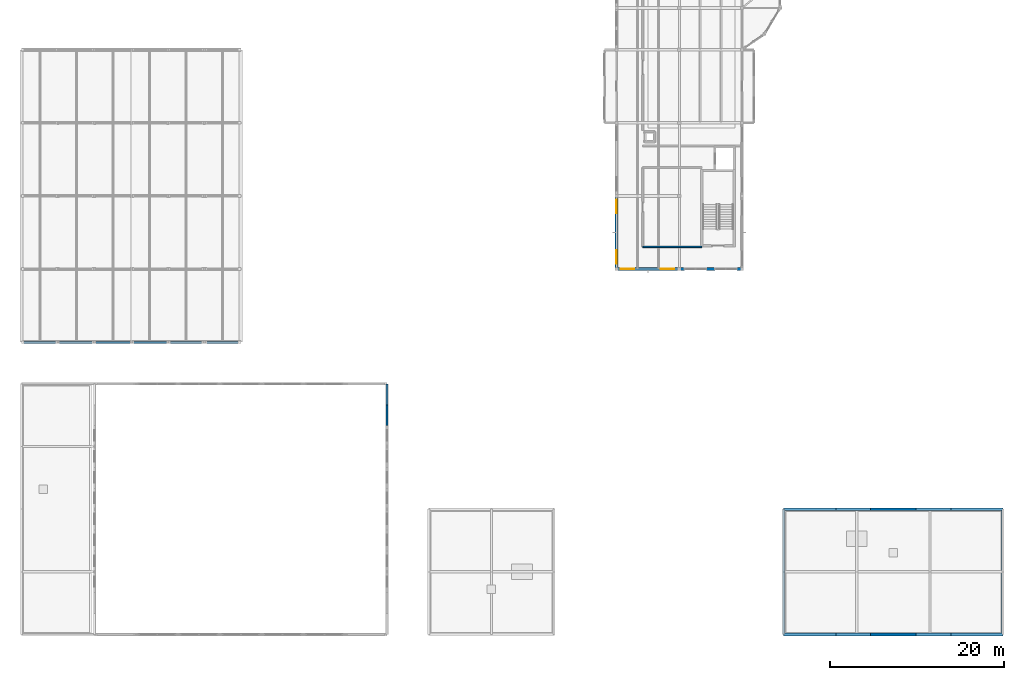
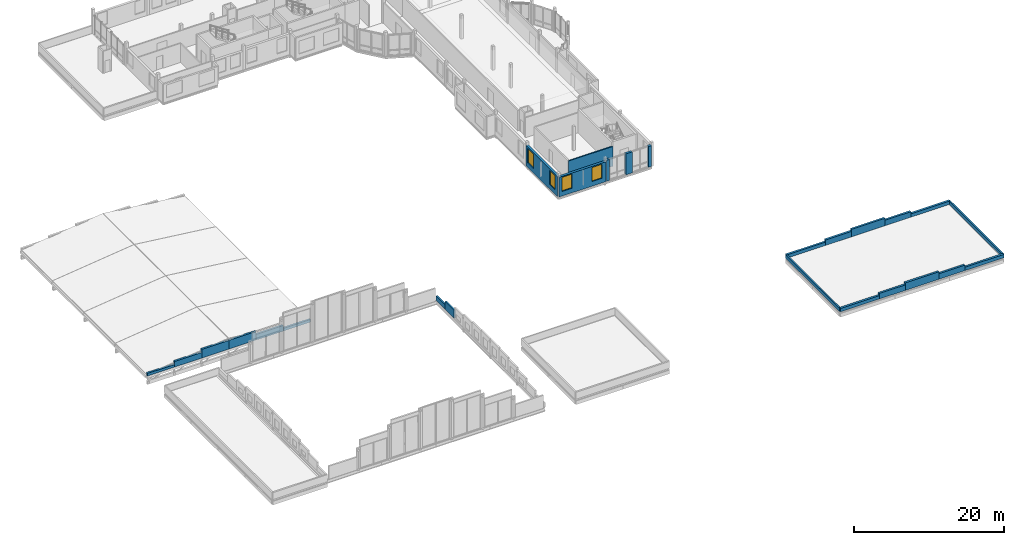
# One storey, part 25 of 34: 26 walls, 4 windows, 4 openings.
"""IFC4 building model written with IfcOpenShell, lengths in metres."""

from ifc_helpers import new_model, si_unit, direction, frame, frame_2d, origin, place, context, subcontext, project, spatial, rectangle, extrude, material, layer, layer_set, type_object, element, fill, save


model = new_model("IFC4")

# Units and contexts
model_context = context("Model", 3, precision=1e-05, world=origin(), true_north=direction((0.0, 1.0)))
body_context = subcontext(model_context, "Body", "Model", "MODEL_VIEW")
ifc_project = project(units=[si_unit("LENGTHUNIT", "METRE"), si_unit("AREAUNIT", "SQUARE_METRE"), si_unit("VOLUMEUNIT", "CUBIC_METRE"), si_unit("PLANEANGLEUNIT", "RADIAN"), si_unit("MASSUNIT", "GRAM", prefix="KILO")], contexts=[model_context])

# Site, building, storey
site_placement = place(None, origin())
site = spatial("IfcSite", under=ifc_project, at=site_placement, CompositionType="ELEMENT")
building_placement = place(site_placement, origin())
building = spatial("IfcBuilding", under=site, at=building_placement, Name="Kahlenmark Community Centre", CompositionType="ELEMENT")
storey_placement = place(building_placement, frame((0.0, 0.0, 17.699951171875)))
storey = spatial("IfcBuildingStorey", under=building, at=storey_placement, Name="L04", CompositionType="ELEMENT", Elevation=17.699951171875)

# Walls
ifc_material_1 = material(Name="Cross-laminated timber CLT C24", Category="wood")
ifc_layer_1 = layer(ifc_material_1, 0.239990234375)
ifc_layer_set_1 = layer_set([ifc_layer_1], Name="Cross-laminated timber CLT C24")
wall_type_1 = type_object("IfcWallType", Name="WT-EW-240", PredefinedType="SOLIDWALL", material=ifc_layer_set_1)
wall_1_placement = place(storey_placement, frame((46.0, 32.800048828125, 0.300048828125), z_axis=(0.0, 0.0, 1.0), x_axis=(0.0, 1.0, 0.0)))
element("IfcWall", 1, at=wall_1_placement, inside=storey, type_object=wall_type_1, Name="Main Hall lunette wall WL-TYMP-EW-0914", PredefinedType="SOLIDWALL", context=body_context, shape_type="SweptSolid", body=[
    extrude(rectangle(XDim=2.39990234375, YDim=0.239990234375, at=frame_2d((1.199951171875, 0.0))), origin(), (0.0, 0.0, 1.0), 1.319580078125),
])
wall_2_placement = place(storey_placement, frame((46.0, 35.199951171875, 0.300048828125), z_axis=(0.0, 0.0, 1.0), x_axis=(0.0, 1.0, 0.0)))
element("IfcWall", 2, at=wall_2_placement, inside=storey, type_object=wall_type_1, Name="Main Hall lunette wall WL-TYMP-EW-0915", PredefinedType="SOLIDWALL", context=body_context, shape_type="SweptSolid", body=[
    extrude(rectangle(XDim=2.400146484375, YDim=0.239990234375, at=frame_2d((1.2001953125, 0.0))), origin(), (0.0, 0.0, 1.0), 0.750244140625),
])
ifc_layer_2 = layer(ifc_material_1, 0.300048828125)
ifc_layer_set_2 = layer_set([ifc_layer_2], Name="Cross-laminated timber CLT C24")
wall_type_2 = type_object("IfcWallType", Name="WT-EW-300", PredefinedType="SOLIDWALL", material=ifc_layer_set_2)
wall_3_placement = place(storey_placement, frame((4.0, 42.39990234375, -0.199951171875), z_axis=(0.0, 0.0, 1.0), x_axis=(1.0, 0.0, 0.0)))
element("IfcWall", 3, at=wall_3_placement, inside=storey, type_object=wall_type_2, Name="Sports Hall gable wall WL-SP-GAB-0916", PredefinedType="SOLIDWALL", context=body_context, shape_type="SweptSolid", body=[
    extrude(rectangle(XDim=4.199951171875, YDim=0.300048828125, at=frame_2d((2.10009765625, 0.0))), origin(), (0.0, 0.0, 1.0), 0.4267578125),
])
wall_4_placement = place(storey_placement, frame((8.199951171875, 42.39990234375, -0.199951171875), z_axis=(0.0, 0.0, 1.0), x_axis=(1.0, 0.0, 0.0)))
element("IfcWall", 4, at=wall_4_placement, inside=storey, type_object=wall_type_2, Name="Sports Hall gable wall WL-SP-GAB-0917", PredefinedType="SOLIDWALL", context=body_context, shape_type="SweptSolid", body=[
    extrude(rectangle(XDim=4.199951171875, YDim=0.300048828125, at=frame_2d((2.10009765625, 0.0))), origin(), (0.0, 0.0, 1.0), 0.919921875),
])
wall_5_placement = place(storey_placement, frame((12.39990234375, 42.39990234375, -0.199951171875), z_axis=(0.0, 0.0, 1.0), x_axis=(1.0, 0.0, 0.0)))
element("IfcWall", 5, at=wall_5_placement, inside=storey, type_object=wall_type_2, Name="Sports Hall gable wall WL-SP-GAB-0918", PredefinedType="SOLIDWALL", context=body_context, shape_type="SweptSolid", body=[
    extrude(rectangle(XDim=4.2001953125, YDim=0.300048828125, at=frame_2d((2.10009765625, 0.0))), origin(), (0.0, 0.0, 1.0), 1.413330078125),
])
wall_6_placement = place(storey_placement, frame((16.60009765625, 42.39990234375, -0.199951171875), z_axis=(0.0, 0.0, 1.0), x_axis=(1.0, 0.0, 0.0)))
element("IfcWall", 6, at=wall_6_placement, inside=storey, type_object=wall_type_2, Name="Sports Hall gable wall WL-SP-GAB-0919", PredefinedType="SOLIDWALL", context=body_context, shape_type="SweptSolid", body=[
    extrude(rectangle(XDim=4.199951171875, YDim=0.300048828125, at=frame_2d((2.10009765625, 0.0))), origin(), (0.0, 0.0, 1.0), 1.413330078125),
])
wall_7_placement = place(storey_placement, frame((20.800048828125, 42.39990234375, -0.199951171875), z_axis=(0.0, 0.0, 1.0), x_axis=(1.0, 0.0, 0.0)))
element("IfcWall", 7, at=wall_7_placement, inside=storey, type_object=wall_type_2, Name="Sports Hall gable wall WL-SP-GAB-0920", PredefinedType="SOLIDWALL", context=body_context, shape_type="SweptSolid", body=[
    extrude(rectangle(XDim=4.199951171875, YDim=0.300048828125, at=frame_2d((2.10009765625, 0.0))), origin(), (0.0, 0.0, 1.0), 0.919921875),
])
wall_8_placement = place(storey_placement, frame((25.0, 42.39990234375, -0.199951171875), z_axis=(0.0, 0.0, 1.0), x_axis=(1.0, 0.0, 0.0)))
element("IfcWall", 8, at=wall_8_placement, inside=storey, type_object=wall_type_2, Name="Sports Hall gable wall WL-SP-GAB-0921", PredefinedType="SOLIDWALL", context=body_context, shape_type="SweptSolid", body=[
    extrude(rectangle(XDim=4.199951171875, YDim=0.300048828125, at=frame_2d((2.10009765625, 0.0))), origin(), (0.0, 0.0, 1.0), 0.4267578125),
])

# Wall, openings, windows
ifc_material_2 = material(Name="Danube limestone masonry", Category="masonry")
ifc_layer_3 = layer(ifc_material_2, 0.360107421875)
ifc_layer_set_3 = layer_set([ifc_layer_3], Name="Danube limestone masonry")
wall_type_3 = type_object("IfcWallType", Name="WT-EW-360", PredefinedType="SOLIDWALL", material=ifc_layer_set_3)
wall_9_placement = place(storey_placement, frame((72.39990234375, 50.800048828125, 0.0), z_axis=(0.0, 0.0, 1.0), x_axis=(1.0, 0.0, 0.0)))
wall_9 = element("IfcWall", 9, at=wall_9_placement, inside=storey, type_object=wall_type_3, Name="Exterior wall WL-EXT-L04-0656", PredefinedType="SOLIDWALL", context=body_context, shape_type="SweptSolid", body=[
    extrude(rectangle(XDim=7.2001953125, YDim=0.360107421875, at=frame_2d((3.60009765625, 0.0))), origin(), (0.0, 0.0, 1.0), 3.22998046875),
])
opening_1_placement = place(wall_9_placement, frame((0.4599609375, 0.0, 0.75)))
opening_1 = element("IfcOpeningElement", 10, at=opening_1_placement, cuts=wall_9, Name="Opening W-155X230", PredefinedType="OPENING", context=body_context, shape_type="SweptSolid", body=[
    extrude(rectangle(XDim=1.550048828125, YDim=2.300048828125, at=frame_2d((0.77490234375, 1.14990234375))), frame((0.0, 0.18994140625, 0.0), z_axis=(0.0, -1.0, 0.0), x_axis=(1.0, 0.0, 0.0)), (0.0, 0.0, 1.0), 0.380126953125),
])
opening_2_placement = place(wall_9_placement, frame((5.06005859375, 0.0, 0.75)))
opening_2 = element("IfcOpeningElement", 11, at=opening_2_placement, cuts=wall_9, Name="Opening W-155X230", PredefinedType="OPENING", context=body_context, shape_type="SweptSolid", body=[
    extrude(rectangle(XDim=1.550048828125, YDim=2.300048828125, at=frame_2d((0.77490234375, 1.14990234375))), frame((0.0, 0.18994140625, 0.0), z_axis=(0.0, -1.0, 0.0), x_axis=(1.0, 0.0, 0.0)), (0.0, 0.0, 1.0), 0.380126953125),
])
ifc_material_3 = material(Name="Deep-reveal limestone punched triple glazing", Category="masonry")
window_type = type_object("IfcWindowType", Name="WNT-155X230", PartitioningType="DOUBLE_PANEL_HORIZONTAL", PredefinedType="WINDOW", material=ifc_material_3)
window_1_placement = place(opening_1_placement, origin())
window_1 = element("IfcWindow", 12, at=window_1_placement, inside=storey, type_object=window_type, Name="Window W-155X230 #0431", OverallHeight=2.300048828125, OverallWidth=1.550048828125, PartitioningType="DOUBLE_PANEL_HORIZONTAL", PredefinedType="WINDOW", context=body_context, shape_type="SweptSolid", body=[
    extrude(rectangle(XDim=1.550048828125, YDim=2.300048828125, at=frame_2d((0.77490234375, 1.14990234375))), frame((0.0, 0.030029296875, 0.0), z_axis=(0.0, -1.0, 0.0), x_axis=(1.0, 0.0, 0.0)), (0.0, 0.0, 1.0), 0.06005859375),
])
fill(opening_1, window_1)
window_2_placement = place(opening_2_placement, origin())
window_2 = element("IfcWindow", 13, at=window_2_placement, inside=storey, type_object=window_type, Name="Window W-155X230 #0432", OverallHeight=2.300048828125, OverallWidth=1.550048828125, PartitioningType="DOUBLE_PANEL_HORIZONTAL", PredefinedType="WINDOW", context=body_context, shape_type="SweptSolid", body=[
    extrude(rectangle(XDim=1.550048828125, YDim=2.300048828125, at=frame_2d((0.77490234375, 1.14990234375))), frame((0.0, 0.030029296875, 0.0), z_axis=(0.0, -1.0, 0.0), x_axis=(1.0, 0.0, 0.0)), (0.0, 0.0, 1.0), 0.06005859375),
])
fill(opening_2, window_2)

# Walls
wall_10_placement = place(storey_placement, frame((82.719970703125, 50.800048828125, 0.0), z_axis=(0.0, 0.0, 1.0), x_axis=(1.0, 0.0, 0.0)))
element("IfcWall", 14, at=wall_10_placement, inside=storey, type_object=wall_type_3, Name="Postmodern limestone pier 0657", PredefinedType="SOLIDWALL", context=body_context, shape_type="SweptSolid", body=[
    extrude(rectangle(XDim=0.9599609375, YDim=0.360107421875, at=frame_2d((0.47998046875, 0.0))), origin(), (0.0, 0.0, 1.0), 3.420166015625),
])
for number, where, z_axis, x_axis, name in (
    (15, (79.72998046875, 50.800048828125, 0.0), (0.0, 0.0, 1.0), (1.0, 0.0, 0.0), "Column closure pier 0658"),
    (16, (86.219970703125, 50.800048828125, 0.0), (0.0, 0.0, 1.0), (1.0, 0.0, 0.0), "Column closure pier 0659"),
):
    element("IfcWall", number, at=place(storey_placement, frame(where, z_axis=z_axis, x_axis=x_axis)), inside=storey, type_object=wall_type_3, Name=name, PredefinedType="SOLIDWALL", context=body_context, shape_type="SweptSolid", body=[
        extrude(rectangle(XDim=0.449951171875, YDim=0.360107421875, at=frame_2d((0.22509765625, 0.0))), origin(), (0.0, 0.0, 1.0), 3.420166015625),
    ])

# Wall, openings, windows
wall_11_placement = place(storey_placement, frame((72.39990234375, 59.199951171875, 0.0), z_axis=(0.0, 0.0, 1.0), x_axis=(0.0, -1.0, 0.0)))
wall_11 = element("IfcWall", 17, at=wall_11_placement, inside=storey, type_object=wall_type_3, Name="Exterior wall WL-EXT-L04-0660", PredefinedType="SOLIDWALL", context=body_context, shape_type="SweptSolid", body=[
    extrude(rectangle(XDim=8.39990234375, YDim=0.360107421875, at=frame_2d((4.199951171875, 0.0))), origin(), (0.0, 0.0, 1.0), 3.320068359375),
])
opening_3_placement = place(wall_11_placement, frame((0.4599609375, 0.0, 0.75)))
opening_3 = element("IfcOpeningElement", 18, at=opening_3_placement, cuts=wall_11, Name="Opening W-155X230", PredefinedType="OPENING", context=body_context, shape_type="SweptSolid", body=[
    extrude(rectangle(XDim=1.550048828125, YDim=2.300048828125, at=frame_2d((0.77490234375, 1.14990234375))), frame((0.0, 0.18994140625, 0.0), z_axis=(0.0, -1.0, 0.0), x_axis=(1.0, 0.0, 0.0)), (0.0, 0.0, 1.0), 0.380126953125),
])
opening_4_placement = place(wall_11_placement, frame((6.260009765625, 0.0, 0.75)))
opening_4 = element("IfcOpeningElement", 19, at=opening_4_placement, cuts=wall_11, Name="Opening W-155X230", PredefinedType="OPENING", context=body_context, shape_type="SweptSolid", body=[
    extrude(rectangle(XDim=1.550048828125, YDim=2.300048828125, at=frame_2d((0.77490234375, 1.14990234375))), frame((0.0, 0.18994140625, 0.0), z_axis=(0.0, -1.0, 0.0), x_axis=(1.0, 0.0, 0.0)), (0.0, 0.0, 1.0), 0.380126953125),
])
window_3_placement = place(opening_3_placement, origin())
window_3 = element("IfcWindow", 20, at=window_3_placement, inside=storey, type_object=window_type, Name="Window W-155X230 #0433", OverallHeight=2.300048828125, OverallWidth=1.550048828125, PartitioningType="DOUBLE_PANEL_HORIZONTAL", PredefinedType="WINDOW", context=body_context, shape_type="SweptSolid", body=[
    extrude(rectangle(XDim=1.550048828125, YDim=2.300048828125, at=frame_2d((0.77490234375, 1.14990234375))), frame((0.0, 0.030029296875, 0.0), z_axis=(0.0, -1.0, 0.0), x_axis=(1.0, 0.0, 0.0)), (0.0, 0.0, 1.0), 0.06005859375),
])
fill(opening_3, window_3)
window_4_placement = place(opening_4_placement, origin())
window_4 = element("IfcWindow", 21, at=window_4_placement, inside=storey, type_object=window_type, Name="Window W-155X230 #0434", OverallHeight=2.300048828125, OverallWidth=1.550048828125, PartitioningType="DOUBLE_PANEL_HORIZONTAL", PredefinedType="WINDOW", context=body_context, shape_type="SweptSolid", body=[
    extrude(rectangle(XDim=1.550048828125, YDim=2.300048828125, at=frame_2d((0.77490234375, 1.14990234375))), frame((0.0, 0.030029296875, 0.0), z_axis=(0.0, -1.0, 0.0), x_axis=(1.0, 0.0, 0.0)), (0.0, 0.0, 1.0), 0.06005859375),
])
fill(opening_4, window_4)

# Walls
ifc_material_4 = material(Name="Concrete C30/37", Category="concrete")
ifc_layer_4 = layer(ifc_material_4, 0.219970703125)
ifc_layer_set_4 = layer_set([ifc_layer_4], Name="Concrete C30/37")
wall_type_4 = type_object("IfcWallType", Name="WT-PAR-220", PredefinedType="PARAPET", material=ifc_layer_set_4)
for number, where, z_axis, x_axis, name in (
    (22, (91.60009765625, 8.800048828125, 0.0), (0.0, 0.0, 1.0), (0.0, 1.0, 0.0), "Workshop side parapet 1034"),
    (23, (116.800048828125, 8.800048828125, 0.0), (0.0, 0.0, 1.0), (0.0, 1.0, 0.0), "Workshop side parapet 1035"),
):
    element("IfcWall", number, at=place(storey_placement, frame(where, z_axis=z_axis, x_axis=x_axis)), inside=storey, type_object=wall_type_4, Name=name, PredefinedType="PARAPET", context=body_context, shape_type="SweptSolid", body=[
        extrude(rectangle(XDim=14.39990234375, YDim=0.219970703125, at=frame_2d((7.199951171875, 0.0))), origin(), (0.0, 0.0, 1.0), 0.550048828125),
    ])
ifc_layer_5 = layer(ifc_material_2, 0.320068359375)
ifc_layer_set_5 = layer_set([ifc_layer_5], Name="Danube limestone masonry")
wall_type_5 = type_object("IfcWallType", Name="WT-PAR-PED320", PredefinedType="PARAPET", material=ifc_layer_set_5)
wall_12_placement = place(storey_placement, frame((91.60009765625, 8.800048828125, 0.0), z_axis=(0.0, 0.0, 1.0), x_axis=(1.0, 0.0, 0.0)))
element("IfcWall", 24, at=wall_12_placement, inside=storey, type_object=wall_type_5, Name="Workshop box stepped pediment 1024", PredefinedType="PARAPET", context=body_context, shape_type="SweptSolid", body=[
    extrude(rectangle(XDim=6.0, YDim=0.320068359375, at=frame_2d((3.0, 0.0))), origin(), (0.0, 0.0, 1.0), 0.550048828125),
])
wall_13_placement = place(storey_placement, frame((97.60009765625, 8.800048828125, 0.0), z_axis=(0.0, 0.0, 1.0), x_axis=(1.0, 0.0, 0.0)))
element("IfcWall", 25, at=wall_13_placement, inside=storey, type_object=wall_type_5, Name="Workshop box stepped pediment 1025", PredefinedType="PARAPET", context=body_context, shape_type="SweptSolid", body=[
    extrude(rectangle(XDim=4.0, YDim=0.320068359375, at=frame_2d((2.0, 0.0))), origin(), (0.0, 0.0, 1.0), 0.900146484375),
])
wall_14_placement = place(storey_placement, frame((101.60009765625, 8.800048828125, 0.0), z_axis=(0.0, 0.0, 1.0), x_axis=(1.0, 0.0, 0.0)))
element("IfcWall", 26, at=wall_14_placement, inside=storey, type_object=wall_type_5, Name="Workshop box stepped pediment 1026", PredefinedType="PARAPET", context=body_context, shape_type="SweptSolid", body=[
    extrude(rectangle(XDim=5.199951171875, YDim=0.320068359375, at=frame_2d((2.60009765625, 0.0))), origin(), (0.0, 0.0, 1.0), 1.219970703125),
])
wall_15_placement = place(storey_placement, frame((106.800048828125, 8.800048828125, 0.0), z_axis=(0.0, 0.0, 1.0), x_axis=(1.0, 0.0, 0.0)))
element("IfcWall", 27, at=wall_15_placement, inside=storey, type_object=wall_type_5, Name="Workshop box stepped pediment 1027", PredefinedType="PARAPET", context=body_context, shape_type="SweptSolid", body=[
    extrude(rectangle(XDim=4.0, YDim=0.320068359375, at=frame_2d((2.0, 0.0))), origin(), (0.0, 0.0, 1.0), 0.900146484375),
])
for number, where, z_axis, x_axis, name in (
    (28, (110.800048828125, 8.800048828125, 0.0), (0.0, 0.0, 1.0), (1.0, 0.0, 0.0), "Workshop box stepped pediment 1028"),
    (29, (91.60009765625, 23.199951171875, 0.0), (0.0, 0.0, 1.0), (1.0, 0.0, 0.0), "Workshop box stepped pediment 1029"),
):
    element("IfcWall", number, at=place(storey_placement, frame(where, z_axis=z_axis, x_axis=x_axis)), inside=storey, type_object=wall_type_5, Name=name, PredefinedType="PARAPET", context=body_context, shape_type="SweptSolid", body=[
        extrude(rectangle(XDim=6.0, YDim=0.320068359375, at=frame_2d((3.0, 0.0))), origin(), (0.0, 0.0, 1.0), 0.550048828125),
    ])
wall_16_placement = place(storey_placement, frame((97.60009765625, 23.199951171875, 0.0), z_axis=(0.0, 0.0, 1.0), x_axis=(1.0, 0.0, 0.0)))
element("IfcWall", 30, at=wall_16_placement, inside=storey, type_object=wall_type_5, Name="Workshop box stepped pediment 1030", PredefinedType="PARAPET", context=body_context, shape_type="SweptSolid", body=[
    extrude(rectangle(XDim=4.0, YDim=0.320068359375, at=frame_2d((2.0, 0.0))), origin(), (0.0, 0.0, 1.0), 0.900146484375),
])
wall_17_placement = place(storey_placement, frame((101.60009765625, 23.199951171875, 0.0), z_axis=(0.0, 0.0, 1.0), x_axis=(1.0, 0.0, 0.0)))
element("IfcWall", 31, at=wall_17_placement, inside=storey, type_object=wall_type_5, Name="Workshop box stepped pediment 1031", PredefinedType="PARAPET", context=body_context, shape_type="SweptSolid", body=[
    extrude(rectangle(XDim=5.199951171875, YDim=0.320068359375, at=frame_2d((2.60009765625, 0.0))), origin(), (0.0, 0.0, 1.0), 1.219970703125),
])
wall_18_placement = place(storey_placement, frame((106.800048828125, 23.199951171875, 0.0), z_axis=(0.0, 0.0, 1.0), x_axis=(1.0, 0.0, 0.0)))
element("IfcWall", 32, at=wall_18_placement, inside=storey, type_object=wall_type_5, Name="Workshop box stepped pediment 1032", PredefinedType="PARAPET", context=body_context, shape_type="SweptSolid", body=[
    extrude(rectangle(XDim=4.0, YDim=0.320068359375, at=frame_2d((2.0, 0.0))), origin(), (0.0, 0.0, 1.0), 0.900146484375),
])
wall_19_placement = place(storey_placement, frame((110.800048828125, 23.199951171875, 0.0), z_axis=(0.0, 0.0, 1.0), x_axis=(1.0, 0.0, 0.0)))
element("IfcWall", 33, at=wall_19_placement, inside=storey, type_object=wall_type_5, Name="Workshop box stepped pediment 1033", PredefinedType="PARAPET", context=body_context, shape_type="SweptSolid", body=[
    extrude(rectangle(XDim=6.0, YDim=0.320068359375, at=frame_2d((3.0, 0.0))), origin(), (0.0, 0.0, 1.0), 0.550048828125),
])
ifc_material_5 = material(Name="Gypsum plasterboard partition", Category="gypsum")
ifc_layer_6 = layer(ifc_material_5, 0.179931640625)
ifc_layer_set_6 = layer_set([ifc_layer_6], Name="Gypsum plasterboard partition")
wall_type_6 = type_object("IfcWallType", Name="WT-PW-180", PredefinedType="PARTITIONING", material=ifc_layer_set_6)
wall_20_placement = place(storey_placement, frame((75.39990234375, 53.35009765625, 0.0), z_axis=(0.0, 0.0, 1.0), x_axis=(1.0, 0.0, 0.0)))
element("IfcWall", 34, at=wall_20_placement, inside=storey, type_object=wall_type_6, Name="Interior partition WL-INT-L04-0268", PredefinedType="PARTITIONING", context=body_context, shape_type="SweptSolid", body=[
    extrude(rectangle(XDim=6.800048828125, YDim=0.179931640625, at=frame_2d((3.39990234375, 0.0))), origin(), (0.0, 0.0, 1.0), 3.22998046875),
])

save(model, "model.ifc")
